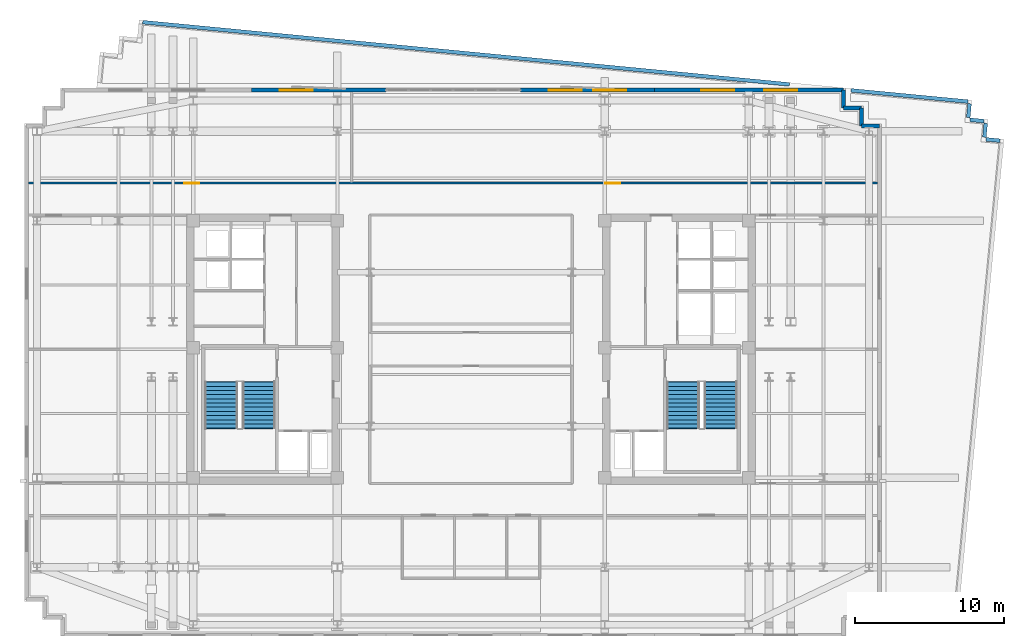
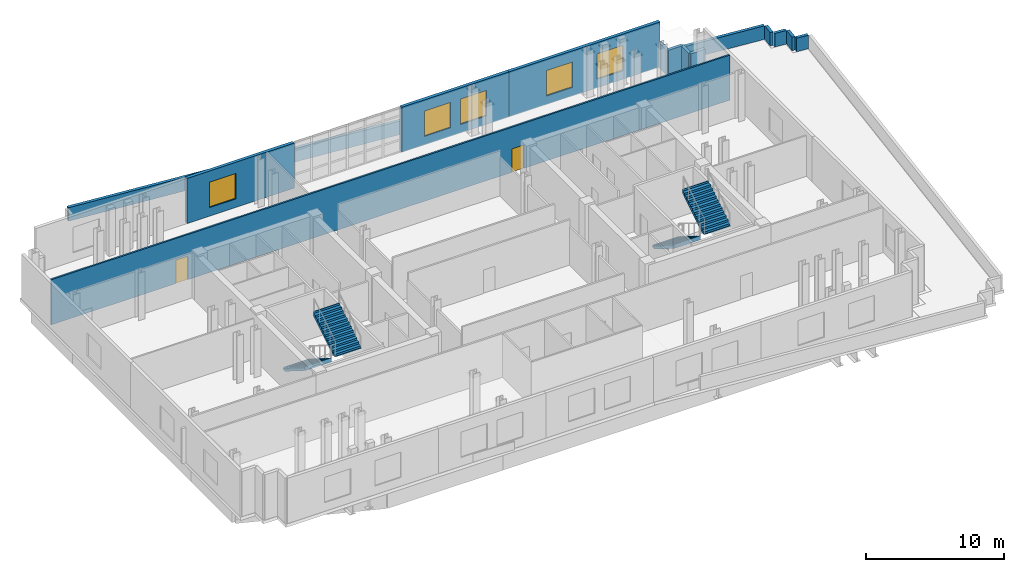
# One storey, part 8 of 11: 14 walls, 5 windows, 4 stair flights, 2 doors, 7 openings, 2 elements without a shape of their own.
"""IFC4 building model written with IfcOpenShell, lengths in metres."""

from ifc_helpers import new_model, si_unit, direction, frame, frame_2d, origin, place, context, subcontext, project, spatial, polyline, rectangle, outline, extrude, material, layer, layer_set, type_object, element, fill, aggregate, save


model = new_model("IFC4")

# Units and contexts
model_context = context("Model", 3, precision=1e-05, world=origin(), true_north=direction((0.0, 1.0)))
body_context = subcontext(model_context, "Body", "Model", "MODEL_VIEW")
ifc_project = project(units=[si_unit("LENGTHUNIT", "METRE"), si_unit("AREAUNIT", "SQUARE_METRE"), si_unit("VOLUMEUNIT", "CUBIC_METRE"), si_unit("PLANEANGLEUNIT", "RADIAN"), si_unit("MASSUNIT", "GRAM", prefix="KILO")], contexts=[model_context])

# Site, building, storey
site_placement = place(None, origin())
site = spatial("IfcSite", under=ifc_project, at=site_placement, CompositionType="ELEMENT")
building_placement = place(site_placement, origin())
building = spatial("IfcBuilding", under=site, at=building_placement, Name="Velakula Bourse", CompositionType="ELEMENT")
storey_placement = place(building_placement, frame((0.0, 0.0, 204.300048828125)))
storey = spatial("IfcBuildingStorey", under=building, at=storey_placement, Name="L55", CompositionType="ELEMENT", Elevation=204.300048828125)

# Wall, opening, window
ifc_material_1 = material(Name="Buff kilned clay facing brick masonry", Category="masonry")
ifc_layer_1 = layer(ifc_material_1, 0.260009765625, Name="Buff kilned clay facing brick masonry", Category="masonry")
ifc_layer_set_1 = layer_set([ifc_layer_1], Name="Buff kilned clay facing brick masonry")
wall_type_1 = type_object("IfcWallType", Name="WL-EXT-BRK-260", PredefinedType="STANDARD", material=ifc_layer_set_1)
wall_1_placement = place(storey_placement, frame((-14.699951171875, 17.35009765625, 0.0), z_axis=(0.0, 0.0, 1.0), x_axis=(1.0, 0.0, 0.0)))
wall_1 = element("IfcWall", 1, at=wall_1_placement, inside=storey, type_object=wall_type_1, Name="L55 N Brick Spandrel Wall B2", PredefinedType="STANDARD", context=body_context, shape_type="SweptSolid", body=[
    extrude(rectangle(XDim=9.0, YDim=0.260009765625, at=frame_2d((4.5, 0.0))), origin(), (0.0, 0.0, 1.0), 4.0),
])
opening_1_placement = place(wall_1_placement, frame((1.89990234375, 0.0, 0.760009765625)))
opening_1 = element("IfcOpeningElement", 2, at=opening_1_placement, cuts=wall_1, Name="Opening W-08", PredefinedType="OPENING", context=body_context, shape_type="SweptSolid", body=[
    extrude(rectangle(XDim=2.199951171875, YDim=2.25, at=frame_2d((1.10009765625, 1.125))), frame((0.0, 0.139892578125, 0.0), z_axis=(0.0, -1.0, 0.0), x_axis=(1.0, 0.0, 0.0)), (0.0, 0.0, 1.0), 0.280029296875),
])
ifc_material_2 = material(Name="Double-glazed solar-control Low-E glass", Category="glass")
window_type = type_object("IfcWindowType", Name="WIN-SL-2200x2500", PartitioningType="DOUBLE_PANEL_VERTICAL", PredefinedType="WINDOW", material=ifc_material_2)
window_1_placement = place(opening_1_placement, origin())
window_1 = element("IfcWindow", 3, at=window_1_placement, inside=storey, type_object=window_type, Name="L55 Deep-Set Recessed Window 1", OverallHeight=2.25, OverallWidth=2.199951171875, PartitioningType="DOUBLE_PANEL_VERTICAL", PredefinedType="WINDOW", context=body_context, shape_type="SweptSolid", body=[
    extrude(rectangle(XDim=2.199951171875, YDim=2.25, at=frame_2d((1.10009765625, 1.125))), frame((0.0, 0.030029296875, 0.0), z_axis=(0.0, -1.0, 0.0), x_axis=(1.0, 0.0, 0.0)), (0.0, 0.0, 1.0), 0.06005859375),
])
fill(opening_1, window_1)

# Wall, openings, windows
wall_2_placement = place(storey_placement, frame((3.300048828125, 17.35009765625, 0.0), z_axis=(0.0, 0.0, 1.0), x_axis=(1.0, 0.0, 0.0)))
wall_2 = element("IfcWall", 4, at=wall_2_placement, inside=storey, type_object=wall_type_1, Name="L55 N Brick Spandrel Wall B4", PredefinedType="STANDARD", context=body_context, shape_type="SweptSolid", body=[
    extrude(rectangle(XDim=9.0, YDim=0.260009765625, at=frame_2d((4.5, 0.0))), origin(), (0.0, 0.0, 1.0), 4.0),
])
opening_2_placement = place(wall_2_placement, frame((1.89990234375, 0.0, 0.760009765625)))
opening_2 = element("IfcOpeningElement", 5, at=opening_2_placement, cuts=wall_2, Name="Opening W-08", PredefinedType="OPENING", context=body_context, shape_type="SweptSolid", body=[
    extrude(rectangle(XDim=2.199951171875, YDim=2.25, at=frame_2d((1.10009765625, 1.125))), frame((0.0, 0.139892578125, 0.0), z_axis=(0.0, -1.0, 0.0), x_axis=(1.0, 0.0, 0.0)), (0.0, 0.0, 1.0), 0.280029296875),
])
opening_3_placement = place(wall_2_placement, frame((4.89990234375, 0.0, 0.760009765625)))
opening_3 = element("IfcOpeningElement", 6, at=opening_3_placement, cuts=wall_2, Name="Opening W-08", PredefinedType="OPENING", context=body_context, shape_type="SweptSolid", body=[
    extrude(rectangle(XDim=2.199951171875, YDim=2.25, at=frame_2d((1.10009765625, 1.125))), frame((0.0, 0.139892578125, 0.0), z_axis=(0.0, -1.0, 0.0), x_axis=(1.0, 0.0, 0.0)), (0.0, 0.0, 1.0), 0.280029296875),
])
window_2_placement = place(opening_2_placement, origin())
window_2 = element("IfcWindow", 7, at=window_2_placement, inside=storey, type_object=window_type, Name="L55 Deep-Set Recessed Window 1", OverallHeight=2.25, OverallWidth=2.199951171875, PartitioningType="DOUBLE_PANEL_VERTICAL", PredefinedType="WINDOW", context=body_context, shape_type="SweptSolid", body=[
    extrude(rectangle(XDim=2.199951171875, YDim=2.25, at=frame_2d((1.10009765625, 1.125))), frame((0.0, 0.030029296875, 0.0), z_axis=(0.0, -1.0, 0.0), x_axis=(1.0, 0.0, 0.0)), (0.0, 0.0, 1.0), 0.06005859375),
])
fill(opening_2, window_2)
window_3_placement = place(opening_3_placement, origin())
window_3 = element("IfcWindow", 8, at=window_3_placement, inside=storey, type_object=window_type, Name="L55 Deep-Set Recessed Window 2", OverallHeight=2.25, OverallWidth=2.199951171875, PartitioningType="DOUBLE_PANEL_VERTICAL", PredefinedType="WINDOW", context=body_context, shape_type="SweptSolid", body=[
    extrude(rectangle(XDim=2.199951171875, YDim=2.25, at=frame_2d((1.10009765625, 1.125))), frame((0.0, 0.030029296875, 0.0), z_axis=(0.0, -1.0, 0.0), x_axis=(1.0, 0.0, 0.0)), (0.0, 0.0, 1.0), 0.06005859375),
])
fill(opening_3, window_3)

wall_3_placement = place(storey_placement, frame((12.300048828125, 17.35009765625, 0.0), z_axis=(0.0, 0.0, 1.0), x_axis=(1.0, 0.0, 0.0)))
wall_3 = element("IfcWall", 9, at=wall_3_placement, inside=storey, type_object=wall_type_1, Name="L55 N Brick Spandrel Wall B5", PredefinedType="STANDARD", context=body_context, shape_type="SweptSolid", body=[
    extrude(rectangle(XDim=12.64990234375, YDim=0.260009765625, at=frame_2d((6.324951171875, 0.0))), origin(), (0.0, 0.0, 1.0), 4.0),
])
opening_4_placement = place(wall_3_placement, frame((3.11669921875, 0.0, 0.760009765625)))
opening_4 = element("IfcOpeningElement", 10, at=opening_4_placement, cuts=wall_3, Name="Opening W-08", PredefinedType="OPENING", context=body_context, shape_type="SweptSolid", body=[
    extrude(rectangle(XDim=2.199951171875, YDim=2.25, at=frame_2d((1.10009765625, 1.125))), frame((0.0, 0.139892578125, 0.0), z_axis=(0.0, -1.0, 0.0), x_axis=(1.0, 0.0, 0.0)), (0.0, 0.0, 1.0), 0.280029296875),
])
opening_5_placement = place(wall_3_placement, frame((7.333251953125, 0.0, 0.760009765625)))
opening_5 = element("IfcOpeningElement", 11, at=opening_5_placement, cuts=wall_3, Name="Opening W-08", PredefinedType="OPENING", context=body_context, shape_type="SweptSolid", body=[
    extrude(rectangle(XDim=2.199951171875, YDim=2.25, at=frame_2d((1.10009765625, 1.125))), frame((0.0, 0.139892578125, 0.0), z_axis=(0.0, -1.0, 0.0), x_axis=(1.0, 0.0, 0.0)), (0.0, 0.0, 1.0), 0.280029296875),
])
window_4_placement = place(opening_4_placement, origin())
window_4 = element("IfcWindow", 12, at=window_4_placement, inside=storey, type_object=window_type, Name="L55 Deep-Set Recessed Window 1", OverallHeight=2.25, OverallWidth=2.199951171875, PartitioningType="DOUBLE_PANEL_VERTICAL", PredefinedType="WINDOW", context=body_context, shape_type="SweptSolid", body=[
    extrude(rectangle(XDim=2.199951171875, YDim=2.25, at=frame_2d((1.10009765625, 1.125))), frame((0.0, 0.030029296875, 0.0), z_axis=(0.0, -1.0, 0.0), x_axis=(1.0, 0.0, 0.0)), (0.0, 0.0, 1.0), 0.06005859375),
])
fill(opening_4, window_4)
window_5_placement = place(opening_5_placement, origin())
window_5 = element("IfcWindow", 13, at=window_5_placement, inside=storey, type_object=window_type, Name="L55 Deep-Set Recessed Window 2", OverallHeight=2.25, OverallWidth=2.199951171875, PartitioningType="DOUBLE_PANEL_VERTICAL", PredefinedType="WINDOW", context=body_context, shape_type="SweptSolid", body=[
    extrude(rectangle(XDim=2.199951171875, YDim=2.25, at=frame_2d((1.10009765625, 1.125))), frame((0.0, 0.030029296875, 0.0), z_axis=(0.0, -1.0, 0.0), x_axis=(1.0, 0.0, 0.0)), (0.0, 0.0, 1.0), 0.06005859375),
])
fill(opening_5, window_5)

# Walls
wall_4_placement = place(storey_placement, frame((27.35009765625, 14.949951171875, 0.0), z_axis=(0.0, 0.0, 1.0), x_axis=(-1.0, 0.0, 0.0)))
element("IfcWall", 14, at=wall_4_placement, inside=storey, type_object=wall_type_1, Name="L55 Serrated Corner Brick Wall NE-1", PredefinedType="STANDARD", context=body_context, shape_type="SweptSolid", body=[
    extrude(rectangle(XDim=1.2001953125, YDim=0.260009765625, at=frame_2d((0.60009765625, 0.0))), origin(), (0.0, 0.0, 1.0), 2.195068359375),
])
for number, where, z_axis, x_axis, name in (
    (15, (26.14990234375, 14.949951171875, 0.0), (0.0, 0.0, 1.0), (0.0, 1.0, 0.0), "L55 Serrated Corner Brick Wall NE-2"),
    (16, (26.14990234375, 16.14990234375, 0.0), (0.0, 0.0, 1.0), (-1.0, 0.0, 0.0), "L55 Serrated Corner Brick Wall NE-3"),
):
    element("IfcWall", number, at=place(storey_placement, frame(where, z_axis=z_axis, x_axis=x_axis)), inside=storey, type_object=wall_type_1, Name=name, PredefinedType="STANDARD", context=body_context, shape_type="SweptSolid", body=[
        extrude(rectangle(XDim=1.199951171875, YDim=0.260009765625, at=frame_2d((0.60009765625, 0.0))), origin(), (0.0, 0.0, 1.0), 2.195068359375),
    ])
wall_5_placement = place(storey_placement, frame((24.949951171875, 16.14990234375, 0.0), z_axis=(0.0, 0.0, 1.0), x_axis=(0.0, 1.0, 0.0)))
element("IfcWall", 17, at=wall_5_placement, inside=storey, type_object=wall_type_1, Name="L55 Serrated Corner Brick Wall NE-4", PredefinedType="STANDARD", context=body_context, shape_type="SweptSolid", body=[
    extrude(rectangle(XDim=1.2001953125, YDim=0.260009765625, at=frame_2d((0.60009765625, 0.0))), origin(), (0.0, 0.0, 1.0), 2.195068359375),
])
ifc_layer_2 = layer(ifc_material_1, 0.25, Name="Buff kilned clay facing brick masonry", Category="masonry")
ifc_layer_set_2 = layer_set([ifc_layer_2], Name="Buff kilned clay facing brick masonry")
wall_type_2 = type_object("IfcWallType", Name="WL-PAR-ROOF-250", PredefinedType="PARAPET", material=ifc_layer_set_2)
wall_6_placement = place(storey_placement, frame((-21.979248046875, 21.901123046875, 0.0), z_axis=(0.0, 0.0, 1.0), x_axis=(0.99539621615, -0.095845567841, 0.0)))
element("IfcWall", 18, at=wall_6_placement, inside=storey, type_object=wall_type_2, Name="L55 Closed Roof Perimeter Parapet 5", PredefinedType="PARAPET", context=body_context, shape_type="SweptSolid", body=[
    extrude(rectangle(XDim=43.493896484375, YDim=0.25, at=frame_2d((21.7470703125, 0.0))), origin(), (0.0, 0.0, 1.0), 1.199951171875),
])
wall_7_placement = place(storey_placement, frame((25.449462890625, 17.334228515625, 0.0), z_axis=(0.0, 0.0, 1.0), x_axis=(0.995397970868, -0.095827342607, 0.0)))
element("IfcWall", 19, at=wall_7_placement, inside=storey, type_object=wall_type_2, Name="L55 Closed Roof Perimeter Parapet 7", PredefinedType="PARAPET", context=body_context, shape_type="SweptSolid", body=[
    extrude(rectangle(XDim=7.85205078125, YDim=0.25, at=frame_2d((3.926025390625, 0.0))), origin(), (0.0, 0.0, 1.0), 1.199951171875),
])
wall_8_placement = place(storey_placement, frame((33.38232421875, 16.43994140625, 0.0), z_axis=(0.0, 0.0, 1.0), x_axis=(-0.095850994504, -0.995395693608, 0.0)))
element("IfcWall", 20, at=wall_8_placement, inside=storey, type_object=wall_type_2, Name="L55 Closed Roof Perimeter Parapet 8", PredefinedType="PARAPET", context=body_context, shape_type="SweptSolid", body=[
    extrude(rectangle(XDim=0.93994140625, YDim=0.25, at=frame_2d((0.469970703125, 0.0))), origin(), (0.0, 0.0, 1.0), 1.199951171875),
])
wall_9_placement = place(storey_placement, frame((33.4091796875, 15.3623046875, 0.0), z_axis=(0.0, 0.0, 1.0), x_axis=(0.995398079194, -0.095826217381, 0.0)))
element("IfcWall", 21, at=wall_9_placement, inside=storey, type_object=wall_type_2, Name="L55 Closed Roof Perimeter Parapet 9", PredefinedType="PARAPET", context=body_context, shape_type="SweptSolid", body=[
    extrude(rectangle(XDim=0.940185546875, YDim=0.25, at=frame_2d((0.47021484375, 0.0))), origin(), (0.0, 0.0, 1.0), 1.199951171875),
])
for number, where, z_axis, x_axis, name in (
    (22, (34.4619140625, 15.13037109375, 0.0), (0.0, 0.0, 1.0), (-0.096108357165, -0.995370877454, 0.0), "L55 Closed Roof Perimeter Parapet 10"),
    (23, (34.48876953125, 14.052978515625, 0.0), (0.0, 0.0, 1.0), (0.995395693608, -0.095850994504, 0.0), "L55 Closed Roof Perimeter Parapet 11"),
):
    element("IfcWall", number, at=place(storey_placement, frame(where, z_axis=z_axis, x_axis=x_axis)), inside=storey, type_object=wall_type_2, Name=name, PredefinedType="PARAPET", context=body_context, shape_type="SweptSolid", body=[
        extrude(rectangle(XDim=0.93994140625, YDim=0.25, at=frame_2d((0.469970703125, 0.0))), origin(), (0.0, 0.0, 1.0), 1.199951171875),
    ])

# Wall, openings, doors
ifc_material_3 = material(Name="Fire-rated double-layer gypsum drywall partition", Category="gypsum")
ifc_layer_3 = layer(ifc_material_3, 0.139892578125, Name="Fire-rated double-layer gypsum drywall partition", Category="gypsum")
ifc_layer_set_3 = layer_set([ifc_layer_3], Name="Fire-rated double-layer gypsum drywall partition")
wall_type_3 = type_object("IfcWallType", Name="WL-PART-140", PredefinedType="STANDARD", material=ifc_layer_set_3)
wall_10_placement = place(storey_placement, frame((-29.6201171875, 11.1201171875, 0.0), z_axis=(0.0, 0.0, 1.0), x_axis=(1.0, 0.0, 0.0)))
wall_10 = element("IfcWall", 24, at=wall_10_placement, inside=storey, type_object=wall_type_3, Name="L55 Interior Partition WL-INT-L55-N-CORR", PredefinedType="STANDARD", context=body_context, shape_type="SweptSolid", body=[
    extrude(rectangle(XDim=56.840087890625, YDim=0.139892578125, at=frame_2d((28.419921875, 0.0))), origin(), (0.0, 0.0, 1.0), 4.0),
])
opening_6_placement = place(wall_10_placement, frame((10.43310546875, 0.0, 0.0)))
opening_6 = element("IfcOpeningElement", 25, at=opening_6_placement, cuts=wall_10, Name="Opening D-OF1", PredefinedType="OPENING", context=body_context, shape_type="SweptSolid", body=[
    extrude(rectangle(XDim=1.0, YDim=2.080078125, at=frame_2d((0.5, 1.0400390625))), frame((0.0, 0.079833984375, 0.0), z_axis=(0.0, -1.0, 0.0), x_axis=(1.0, 0.0, 0.0)), (0.0, 0.0, 1.0), 0.159912109375),
])
opening_7_placement = place(wall_10_placement, frame((38.60107421875, 0.0, 0.0)))
opening_7 = element("IfcOpeningElement", 26, at=opening_7_placement, cuts=wall_10, Name="Opening D-OF1", PredefinedType="OPENING", context=body_context, shape_type="SweptSolid", body=[
    extrude(rectangle(XDim=1.0, YDim=2.080078125, at=frame_2d((0.5, 1.0400390625))), frame((0.0, 0.079833984375, 0.0), z_axis=(0.0, -1.0, 0.0), x_axis=(1.0, 0.0, 0.0)), (0.0, 0.0, 1.0), 0.159912109375),
])
ifc_material_4 = material(Name="Fire-rated hardwood flush architectural door", Category="wood")
door_type = type_object("IfcDoorType", Name="DR-OFF-1000", OperationType="NOTDEFINED", PredefinedType="DOOR", material=ifc_material_4)
door_1_placement = place(opening_6_placement, origin())
door_1 = element("IfcDoor", 27, at=door_1_placement, inside=storey, type_object=door_type, Name="L55 Investor Briefing Reception Door", OperationType="SINGLE_SWING_LEFT", OverallHeight=2.080078125, OverallWidth=1.0, PredefinedType="DOOR", context=body_context, shape_type="SweptSolid", body=[
    extrude(rectangle(XDim=1.0, YDim=2.080078125, at=frame_2d((0.5, 1.0400390625))), frame((0.0, 0.02490234375, 0.0), z_axis=(0.0, -1.0, 0.0), x_axis=(1.0, 0.0, 0.0)), (0.0, 0.0, 1.0), 0.050048828125),
])
fill(opening_6, door_1)
door_2_placement = place(opening_7_placement, origin())
door_2 = element("IfcDoor", 28, at=door_2_placement, inside=storey, type_object=door_type, Name="L55 Training Classroom Door", OperationType="SINGLE_SWING_RIGHT", OverallHeight=2.080078125, OverallWidth=1.0, PredefinedType="DOOR", context=body_context, shape_type="SweptSolid", body=[
    extrude(rectangle(XDim=1.0, YDim=2.080078125, at=frame_2d((0.5, 1.0400390625))), frame((0.0, 0.02490234375, 0.0), z_axis=(0.0, -1.0, 0.0), x_axis=(1.0, 0.0, 0.0)), (0.0, 0.0, 1.0), 0.050048828125),
])
fill(opening_7, door_2)

# Stair, stair flights
ifc_material_5 = material(Name="Concrete M45 (fck 45 MPa)", Category="concrete")
stair_type = type_object("IfcStairType", Name="STR-DOG-435", PredefinedType="HALF_TURN_STAIR", material=ifc_material_5)
stair_1_placement = place(storey_placement, origin())
stair_1 = element("IfcStair", 29, at=stair_1_placement, inside=storey, type_object=stair_type, Name="L55 West Core Exit Stair ST-W1", PredefinedType="HALF_TURN_STAIR")
ifc_layer_4 = layer(ifc_material_5, 0.199951171875, Name="Concrete M45 (fck 45 MPa)", Category="concrete")
ifc_layer_set_4 = layer_set([ifc_layer_4], Name="Concrete M45 (fck 45 MPa)")
stair_flight_type = type_object("IfcStairFlightType", Name="FLT-DOG-435", PredefinedType="STRAIGHT", material=ifc_layer_set_4)
stair_flight_1_placement = place(storey_placement, frame((-16.720947265625, -2.199951171875, 0.0), z_axis=(0.0, 0.0, 1.0), x_axis=(0.0, -1.0, 0.0)))
stair_flight_1 = element("IfcStairFlight", 30, at=stair_flight_1_placement, type_object=stair_flight_type, Name="ST-W1 flight 1", NumberOfRisers=12, NumberOfTreads=11, PredefinedType="STRAIGHT", RiserHeight=0.175, TreadLength=0.28, context=body_context, shape_type="SweptSolid", body=[
    extrude(outline(polyline([(-0.044921875, -0.0400390625), (-0.044921875, -0.036865234375), (-0.044921875, -0.033935546875), (-0.044921875, -0.03076171875), (-0.044921875, -0.027587890625), (-0.044921875, -0.024658203125), (-0.044921875, -0.021484375), (-0.044921875, -0.0185546875), (-0.044921875, -0.015380859375), (-0.044921875, -0.01220703125), (-0.044921875, -0.00927734375), (-0.044921875, -0.006103515625), (-0.044921875, -0.003173828125), (-0.044921875, 0.0), (0.0, 0.0), (0.0, 0.175048828125), (0.280029296875, 0.175048828125), (0.280029296875, 0.35009765625), (0.56005859375, 0.35009765625), (0.56005859375, 0.52490234375), (0.840087890625, 0.52490234375), (0.840087890625, 0.699951171875), (1.1201171875, 0.699951171875), (1.1201171875, 0.875), (1.39990234375, 0.875), (1.39990234375, 1.050048828125), (1.679931640625, 1.050048828125), (1.679931640625, 1.22509765625), (1.9599609375, 1.22509765625), (1.9599609375, 1.39990234375), (2.239990234375, 1.39990234375), (2.239990234375, 1.574951171875), (2.52001953125, 1.574951171875), (2.52001953125, 1.75), (2.800048828125, 1.75), (2.800048828125, 1.925048828125), (3.080078125, 1.925048828125), (3.080078125, 2.10009765625), (3.125, 2.10009765625), (3.125, 2.074951171875), (3.125, 2.0498046875), (3.125, 2.024658203125), (3.125, 1.99951171875), (3.125, 1.974365234375), (3.125, 1.94921875), (3.125, 1.924072265625), (3.125, 1.89892578125), (3.125, 1.873779296875), (3.125, 1.8486328125), (3.125, 1.823486328125), (3.125, 1.798583984375), (3.125, 1.7734375), (3.125, 1.748291015625), (0.28271484375, -0.0400390625), (-0.044921875, -0.0400390625)])), frame((0.0, 1.09912109375, 0.0), z_axis=(0.0, -1.0, 0.0), x_axis=(1.0, 0.0, 0.0)), (0.0, 0.0, 1.0), 2.197998046875),
])
stair_flight_2_placement = place(storey_placement, frame((-14.198974609375, -5.280029296875, 2.099853515625), z_axis=(0.0, 0.0, 1.0), x_axis=(0.0, 1.0, 0.0)))
stair_flight_2 = element("IfcStairFlight", 31, at=stair_flight_2_placement, type_object=stair_flight_type, Name="ST-W1 flight 2", NumberOfRisers=12, NumberOfTreads=11, PredefinedType="STRAIGHT", RiserHeight=0.175, TreadLength=0.28, context=body_context, shape_type="SweptSolid", body=[
    extrude(outline(polyline([(-0.044921875, -0.0400390625), (-0.044921875, -0.036865234375), (-0.044921875, -0.033935546875), (-0.044921875, -0.03076171875), (-0.044921875, -0.027587890625), (-0.044921875, -0.024658203125), (-0.044921875, -0.021484375), (-0.044921875, -0.0185546875), (-0.044921875, -0.015380859375), (-0.044921875, -0.01220703125), (-0.044921875, -0.00927734375), (-0.044921875, -0.006103515625), (-0.044921875, -0.003173828125), (-0.044921875, 0.0), (0.0, 0.0), (0.0, 0.175048828125), (0.280029296875, 0.175048828125), (0.280029296875, 0.35009765625), (0.56005859375, 0.35009765625), (0.56005859375, 0.52490234375), (0.840087890625, 0.52490234375), (0.840087890625, 0.699951171875), (1.1201171875, 0.699951171875), (1.1201171875, 0.875), (1.39990234375, 0.875), (1.39990234375, 1.050048828125), (1.679931640625, 1.050048828125), (1.679931640625, 1.22509765625), (1.9599609375, 1.22509765625), (1.9599609375, 1.39990234375), (2.239990234375, 1.39990234375), (2.239990234375, 1.574951171875), (2.52001953125, 1.574951171875), (2.52001953125, 1.75), (2.800048828125, 1.75), (2.800048828125, 1.925048828125), (3.080078125, 1.925048828125), (3.080078125, 2.10009765625), (3.125, 2.10009765625), (3.125, 2.074951171875), (3.125, 2.0498046875), (3.125, 2.024658203125), (3.125, 1.99951171875), (3.125, 1.974365234375), (3.125, 1.94921875), (3.125, 1.924072265625), (3.125, 1.89892578125), (3.125, 1.873779296875), (3.125, 1.8486328125), (3.125, 1.823486328125), (3.125, 1.798583984375), (3.125, 1.7734375), (3.125, 1.748291015625), (0.28271484375, -0.0400390625), (-0.044921875, -0.0400390625)])), frame((0.0, 1.09912109375, 0.0), z_axis=(0.0, -1.0, 0.0), x_axis=(1.0, 0.0, 0.0)), (0.0, 0.0, 1.0), 2.197998046875),
])
aggregate(stair_1, [stair_flight_1, stair_flight_2])

stair_2_placement = place(storey_placement, origin())
stair_2 = element("IfcStair", 32, at=stair_2_placement, inside=storey, type_object=stair_type, Name="L55 East Core Exit Stair ST-E1", PredefinedType="HALF_TURN_STAIR")
stair_flight_3_placement = place(storey_placement, frame((14.198974609375, -2.199951171875, 0.0), z_axis=(0.0, 0.0, 1.0), x_axis=(0.0, -1.0, 0.0)))
stair_flight_3 = element("IfcStairFlight", 33, at=stair_flight_3_placement, type_object=stair_flight_type, Name="ST-E1 flight 1", NumberOfRisers=12, NumberOfTreads=11, PredefinedType="STRAIGHT", RiserHeight=0.175, TreadLength=0.28, context=body_context, shape_type="SweptSolid", body=[
    extrude(outline(polyline([(-0.044921875, -0.0400390625), (-0.044921875, -0.036865234375), (-0.044921875, -0.033935546875), (-0.044921875, -0.03076171875), (-0.044921875, -0.027587890625), (-0.044921875, -0.024658203125), (-0.044921875, -0.021484375), (-0.044921875, -0.0185546875), (-0.044921875, -0.015380859375), (-0.044921875, -0.01220703125), (-0.044921875, -0.00927734375), (-0.044921875, -0.006103515625), (-0.044921875, -0.003173828125), (-0.044921875, 0.0), (0.0, 0.0), (0.0, 0.175048828125), (0.280029296875, 0.175048828125), (0.280029296875, 0.35009765625), (0.56005859375, 0.35009765625), (0.56005859375, 0.52490234375), (0.840087890625, 0.52490234375), (0.840087890625, 0.699951171875), (1.1201171875, 0.699951171875), (1.1201171875, 0.875), (1.39990234375, 0.875), (1.39990234375, 1.050048828125), (1.679931640625, 1.050048828125), (1.679931640625, 1.22509765625), (1.9599609375, 1.22509765625), (1.9599609375, 1.39990234375), (2.239990234375, 1.39990234375), (2.239990234375, 1.574951171875), (2.52001953125, 1.574951171875), (2.52001953125, 1.75), (2.800048828125, 1.75), (2.800048828125, 1.925048828125), (3.080078125, 1.925048828125), (3.080078125, 2.10009765625), (3.125, 2.10009765625), (3.125, 2.074951171875), (3.125, 2.0498046875), (3.125, 2.024658203125), (3.125, 1.99951171875), (3.125, 1.974365234375), (3.125, 1.94921875), (3.125, 1.924072265625), (3.125, 1.89892578125), (3.125, 1.873779296875), (3.125, 1.8486328125), (3.125, 1.823486328125), (3.125, 1.798583984375), (3.125, 1.7734375), (3.125, 1.748291015625), (0.28271484375, -0.0400390625), (-0.044921875, -0.0400390625)])), frame((0.0, 1.09912109375, 0.0), z_axis=(0.0, -1.0, 0.0), x_axis=(1.0, 0.0, 0.0)), (0.0, 0.0, 1.0), 2.197998046875),
])
stair_flight_4_placement = place(storey_placement, frame((16.720947265625, -5.280029296875, 2.099853515625), z_axis=(0.0, 0.0, 1.0), x_axis=(0.0, 1.0, 0.0)))
stair_flight_4 = element("IfcStairFlight", 34, at=stair_flight_4_placement, type_object=stair_flight_type, Name="ST-E1 flight 2", NumberOfRisers=12, NumberOfTreads=11, PredefinedType="STRAIGHT", RiserHeight=0.175, TreadLength=0.28, context=body_context, shape_type="SweptSolid", body=[
    extrude(outline(polyline([(-0.044921875, -0.0400390625), (-0.044921875, -0.036865234375), (-0.044921875, -0.033935546875), (-0.044921875, -0.03076171875), (-0.044921875, -0.027587890625), (-0.044921875, -0.024658203125), (-0.044921875, -0.021484375), (-0.044921875, -0.0185546875), (-0.044921875, -0.015380859375), (-0.044921875, -0.01220703125), (-0.044921875, -0.00927734375), (-0.044921875, -0.006103515625), (-0.044921875, -0.003173828125), (-0.044921875, 0.0), (0.0, 0.0), (0.0, 0.175048828125), (0.280029296875, 0.175048828125), (0.280029296875, 0.35009765625), (0.56005859375, 0.35009765625), (0.56005859375, 0.52490234375), (0.840087890625, 0.52490234375), (0.840087890625, 0.699951171875), (1.1201171875, 0.699951171875), (1.1201171875, 0.875), (1.39990234375, 0.875), (1.39990234375, 1.050048828125), (1.679931640625, 1.050048828125), (1.679931640625, 1.22509765625), (1.9599609375, 1.22509765625), (1.9599609375, 1.39990234375), (2.239990234375, 1.39990234375), (2.239990234375, 1.574951171875), (2.52001953125, 1.574951171875), (2.52001953125, 1.75), (2.800048828125, 1.75), (2.800048828125, 1.925048828125), (3.080078125, 1.925048828125), (3.080078125, 2.10009765625), (3.125, 2.10009765625), (3.125, 2.074951171875), (3.125, 2.0498046875), (3.125, 2.024658203125), (3.125, 1.99951171875), (3.125, 1.974365234375), (3.125, 1.94921875), (3.125, 1.924072265625), (3.125, 1.89892578125), (3.125, 1.873779296875), (3.125, 1.8486328125), (3.125, 1.823486328125), (3.125, 1.798583984375), (3.125, 1.7734375), (3.125, 1.748291015625), (0.28271484375, -0.0400390625), (-0.044921875, -0.0400390625)])), frame((0.0, 1.09912109375, 0.0), z_axis=(0.0, -1.0, 0.0), x_axis=(1.0, 0.0, 0.0)), (0.0, 0.0, 1.0), 2.197998046875),
])
aggregate(stair_2, [stair_flight_3, stair_flight_4])

save(model, "model.ifc")
